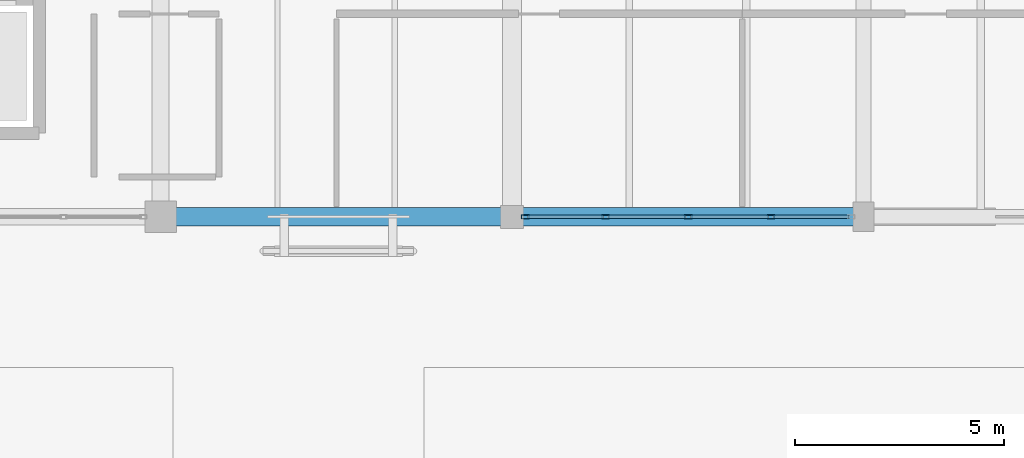
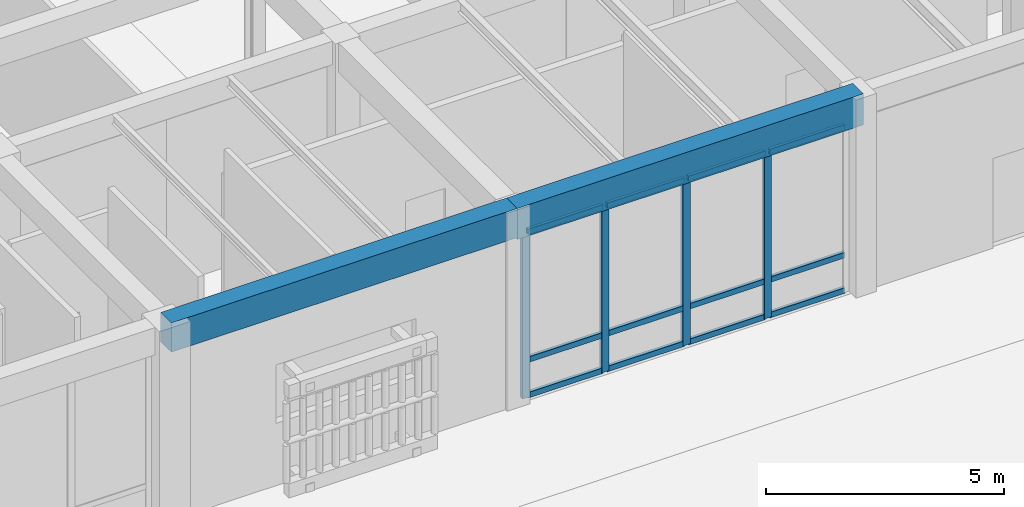
# One storey, part 72 of 169: 16 members, 2 beams, 1 element without a shape of its own.
"""IFC4 building model written with IfcOpenShell, lengths in metres."""

from ifc_helpers import new_model, si_unit, direction, frame, origin, origin_2d, place, context, subcontext, project, spatial, rectangle, hollow_rectangle, extrude, material, layer, layer_set, material_profile, profile_set, type_object, element, aggregate, save


model = new_model("IFC4")

# Units and contexts
model_context = context("Model", 3, precision=1e-05, world=origin(), true_north=direction((0.0, 1.0)))
body_context = subcontext(model_context, "Body", "Model", "MODEL_VIEW")
ifc_project = project(units=[si_unit("LENGTHUNIT", "METRE"), si_unit("AREAUNIT", "SQUARE_METRE"), si_unit("VOLUMEUNIT", "CUBIC_METRE"), si_unit("PLANEANGLEUNIT", "RADIAN"), si_unit("MASSUNIT", "GRAM", prefix="KILO")], contexts=[model_context])

# Site, building, storey
site_placement = place(None, origin())
site = spatial("IfcSite", under=ifc_project, at=site_placement, CompositionType="ELEMENT")
building_placement = place(site_placement, origin())
building = spatial("IfcBuilding", under=site, at=building_placement, Name="Mazaris Harbour Polytechnic", CompositionType="ELEMENT")
storey_placement = place(building_placement, origin())
storey = spatial("IfcBuildingStorey", under=building, at=storey_placement, Name="L00", CompositionType="ELEMENT", Elevation=0.0)

# Curtain wall, members
ifc_material_1 = material(Name="Anodised Bronze Aluminium and Low-E Glass", Category="aluminium")
ifc_layer = layer(ifc_material_1, 0.14990234375, Name="Anodised Bronze Aluminium and Low-E Glass")
ifc_layer_set = layer_set([ifc_layer], Name="Anodised Bronze Aluminium and Low-E Glass")
curtain_wall_type = type_object("IfcCurtainWallType", Name="Workshop Clerestory Curtain Wall", PredefinedType="NOTDEFINED", material=ifc_layer_set)
curtain_wall_placement = place(storey_placement, origin())
curtain_wall = element("IfcCurtainWall", 1, at=curtain_wall_placement, inside=storey, type_object=curtain_wall_type, Name="V1 L00 Curtain Wall 3", PredefinedType="NOTDEFINED")
ifc_material_2 = material(Name="Anodised Bronze Steel S355", Category="steel")
ifc_material_profile_1 = material_profile(ifc_material_2, hollow_rectangle(XDim=0.10009765625, YDim=0.179931640625, WallThickness=0.008056640625, at=origin_2d()), Name="RHS 100x180x8.0")
ifc_profile_set_1 = profile_set([ifc_material_profile_1], Name="Anodised Bronze Steel S355")
member_type_1 = type_object("IfcMemberType", Name="Curtain Mullion RHS100x180", PredefinedType="MULLION", material=ifc_profile_set_1)
member_1_placement = place(storey_placement, frame((93.78515625, 75.60009765625, 0.0), z_axis=(0.0, 0.0, 1.0), x_axis=(0.0, -1.0, 0.0)))
member_1 = element("IfcMember", 2, at=member_1_placement, type_object=member_type_1, Name="CW-04 mullion 2", PredefinedType="MULLION", context=body_context, shape_type="SweptSolid", body=[
    extrude(hollow_rectangle(XDim=0.10009765625, YDim=0.179931640625, WallThickness=0.008056640625, at=origin_2d()), origin(), (0.0, 0.0, 1.0), 4.27001953125),
])
member_2_placement = place(storey_placement, frame((91.8125, 75.60009765625, 0.0), z_axis=(0.0, 0.0, 1.0), x_axis=(0.0, -1.0, 0.0)))
member_2 = element("IfcMember", 3, at=member_2_placement, type_object=member_type_1, Name="CW-04 mullion 3", PredefinedType="MULLION", context=body_context, shape_type="SweptSolid", body=[
    extrude(hollow_rectangle(XDim=0.10009765625, YDim=0.179931640625, WallThickness=0.008056640625, at=origin_2d()), origin(), (0.0, 0.0, 1.0), 4.27001953125),
])
member_3_placement = place(storey_placement, frame((89.83984375, 75.60009765625, 0.0), z_axis=(0.0, 0.0, 1.0), x_axis=(0.0, -1.0, 0.0)))
member_3 = element("IfcMember", 4, at=member_3_placement, type_object=member_type_1, Name="CW-04 mullion 4", PredefinedType="MULLION", context=body_context, shape_type="SweptSolid", body=[
    extrude(hollow_rectangle(XDim=0.10009765625, YDim=0.179931640625, WallThickness=0.008056640625, at=origin_2d()), origin(), (0.0, 0.0, 1.0), 4.27001953125),
])
member_4_placement = place(storey_placement, frame((87.9169921875, 75.60009765625, 0.0), z_axis=(0.0, 0.0, 1.0), x_axis=(0.0, -1.0, 0.0)))
member_4 = element("IfcMember", 5, at=member_4_placement, type_object=member_type_1, Name="CW-04 mullion 5", PredefinedType="MULLION", context=body_context, shape_type="SweptSolid", body=[
    extrude(hollow_rectangle(XDim=0.10009765625, YDim=0.179931640625, WallThickness=0.008056640625, at=origin_2d()), origin(), (0.0, 0.0, 1.0), 4.27001953125),
])
ifc_material_3 = material(Name="Anodised Bronze Steel S355", Category="steel")
ifc_material_profile_2 = material_profile(ifc_material_3, hollow_rectangle(XDim=0.080078125, YDim=0.139892578125, WallThickness=0.00634765625, at=origin_2d()), Name="RHS 80x140x6.3")
ifc_profile_set_2 = profile_set([ifc_material_profile_2], Name="Anodised Bronze Steel S355")
member_type_2 = type_object("IfcMemberType", Name="Curtain Transom RHS80x140", PredefinedType="USERDEFINED", material=ifc_profile_set_2)
member_5_placement = place(storey_placement, frame((95.657958984375, 75.60009765625, 0.0400390625), z_axis=(-1.0, 0.0, 0.0), x_axis=(0.0, -1.0, 0.0)))
member_5 = element("IfcMember", 6, at=member_5_placement, type_object=member_type_2, Name="CW-04 transom 1.1", ObjectType="TRANSOM", PredefinedType="USERDEFINED", context=body_context, shape_type="SweptSolid", body=[
    extrude(hollow_rectangle(XDim=0.080078125, YDim=0.139892578125, WallThickness=0.00634765625, at=origin_2d()), origin(), (0.0, 0.0, 1.0), 1.82275390625),
])
member_6_placement = place(storey_placement, frame((95.657958984375, 75.60009765625, 0.949951171875), z_axis=(-1.0, 0.0, 0.0), x_axis=(0.0, -1.0, 0.0)))
member_6 = element("IfcMember", 7, at=member_6_placement, type_object=member_type_2, Name="CW-04 transom 1.2", ObjectType="TRANSOM", PredefinedType="USERDEFINED", context=body_context, shape_type="SweptSolid", body=[
    extrude(hollow_rectangle(XDim=0.080078125, YDim=0.139892578125, WallThickness=0.00634765625, at=origin_2d()), origin(), (0.0, 0.0, 1.0), 1.82275390625),
])
member_7_placement = place(storey_placement, frame((95.657958984375, 75.60009765625, 4.22998046875), z_axis=(-1.0, 0.0, 0.0), x_axis=(0.0, -1.0, 0.0)))
member_7 = element("IfcMember", 8, at=member_7_placement, type_object=member_type_2, Name="CW-04 transom 1.3", ObjectType="TRANSOM", PredefinedType="USERDEFINED", context=body_context, shape_type="SweptSolid", body=[
    extrude(hollow_rectangle(XDim=0.080078125, YDim=0.139892578125, WallThickness=0.00634765625, at=origin_2d()), origin(), (0.0, 0.0, 1.0), 1.82275390625),
])
member_8_placement = place(storey_placement, frame((93.7353515625, 75.60009765625, 0.0400390625), z_axis=(-1.0, 0.0, 0.0), x_axis=(0.0, -1.0, 0.0)))
member_8 = element("IfcMember", 9, at=member_8_placement, type_object=member_type_2, Name="CW-04 transom 2.1", ObjectType="TRANSOM", PredefinedType="USERDEFINED", context=body_context, shape_type="SweptSolid", body=[
    extrude(hollow_rectangle(XDim=0.080078125, YDim=0.139892578125, WallThickness=0.00634765625, at=origin_2d()), origin(), (0.0, 0.0, 1.0), 1.872802734375),
])
member_9_placement = place(storey_placement, frame((93.7353515625, 75.60009765625, 0.949951171875), z_axis=(-1.0, 0.0, 0.0), x_axis=(0.0, -1.0, 0.0)))
member_9 = element("IfcMember", 10, at=member_9_placement, type_object=member_type_2, Name="CW-04 transom 2.2", ObjectType="TRANSOM", PredefinedType="USERDEFINED", context=body_context, shape_type="SweptSolid", body=[
    extrude(hollow_rectangle(XDim=0.080078125, YDim=0.139892578125, WallThickness=0.00634765625, at=origin_2d()), origin(), (0.0, 0.0, 1.0), 1.872802734375),
])
member_10_placement = place(storey_placement, frame((93.7353515625, 75.60009765625, 4.22998046875), z_axis=(-1.0, 0.0, 0.0), x_axis=(0.0, -1.0, 0.0)))
member_10 = element("IfcMember", 11, at=member_10_placement, type_object=member_type_2, Name="CW-04 transom 2.3", ObjectType="TRANSOM", PredefinedType="USERDEFINED", context=body_context, shape_type="SweptSolid", body=[
    extrude(hollow_rectangle(XDim=0.080078125, YDim=0.139892578125, WallThickness=0.00634765625, at=origin_2d()), origin(), (0.0, 0.0, 1.0), 1.872802734375),
])
member_11_placement = place(storey_placement, frame((91.762451171875, 75.60009765625, 0.0400390625), z_axis=(-1.0, 0.0, 0.0), x_axis=(0.0, -1.0, 0.0)))
member_11 = element("IfcMember", 12, at=member_11_placement, type_object=member_type_2, Name="CW-04 transom 3.1", ObjectType="TRANSOM", PredefinedType="USERDEFINED", context=body_context, shape_type="SweptSolid", body=[
    extrude(hollow_rectangle(XDim=0.080078125, YDim=0.139892578125, WallThickness=0.00634765625, at=origin_2d()), origin(), (0.0, 0.0, 1.0), 1.872802734375),
])
member_12_placement = place(storey_placement, frame((91.762451171875, 75.60009765625, 0.949951171875), z_axis=(-1.0, 0.0, 0.0), x_axis=(0.0, -1.0, 0.0)))
member_12 = element("IfcMember", 13, at=member_12_placement, type_object=member_type_2, Name="CW-04 transom 3.2", ObjectType="TRANSOM", PredefinedType="USERDEFINED", context=body_context, shape_type="SweptSolid", body=[
    extrude(hollow_rectangle(XDim=0.080078125, YDim=0.139892578125, WallThickness=0.00634765625, at=origin_2d()), origin(), (0.0, 0.0, 1.0), 1.872802734375),
])
member_13_placement = place(storey_placement, frame((91.762451171875, 75.60009765625, 4.22998046875), z_axis=(-1.0, 0.0, 0.0), x_axis=(0.0, -1.0, 0.0)))
member_13 = element("IfcMember", 14, at=member_13_placement, type_object=member_type_2, Name="CW-04 transom 3.3", ObjectType="TRANSOM", PredefinedType="USERDEFINED", context=body_context, shape_type="SweptSolid", body=[
    extrude(hollow_rectangle(XDim=0.080078125, YDim=0.139892578125, WallThickness=0.00634765625, at=origin_2d()), origin(), (0.0, 0.0, 1.0), 1.872802734375),
])
member_14_placement = place(storey_placement, frame((89.789794921875, 75.60009765625, 0.0400390625), z_axis=(-1.0, 0.0, 0.0), x_axis=(0.0, -1.0, 0.0)))
member_14 = element("IfcMember", 15, at=member_14_placement, type_object=member_type_2, Name="CW-04 transom 4.1", ObjectType="TRANSOM", PredefinedType="USERDEFINED", context=body_context, shape_type="SweptSolid", body=[
    extrude(hollow_rectangle(XDim=0.080078125, YDim=0.139892578125, WallThickness=0.00634765625, at=origin_2d()), origin(), (0.0, 0.0, 1.0), 1.82275390625),
])
member_15_placement = place(storey_placement, frame((89.789794921875, 75.60009765625, 0.949951171875), z_axis=(-1.0, 0.0, 0.0), x_axis=(0.0, -1.0, 0.0)))
member_15 = element("IfcMember", 16, at=member_15_placement, type_object=member_type_2, Name="CW-04 transom 4.2", ObjectType="TRANSOM", PredefinedType="USERDEFINED", context=body_context, shape_type="SweptSolid", body=[
    extrude(hollow_rectangle(XDim=0.080078125, YDim=0.139892578125, WallThickness=0.00634765625, at=origin_2d()), origin(), (0.0, 0.0, 1.0), 1.82275390625),
])
member_16_placement = place(storey_placement, frame((89.789794921875, 75.60009765625, 4.22998046875), z_axis=(-1.0, 0.0, 0.0), x_axis=(0.0, -1.0, 0.0)))
member_16 = element("IfcMember", 17, at=member_16_placement, type_object=member_type_2, Name="CW-04 transom 4.3", ObjectType="TRANSOM", PredefinedType="USERDEFINED", context=body_context, shape_type="SweptSolid", body=[
    extrude(hollow_rectangle(XDim=0.080078125, YDim=0.139892578125, WallThickness=0.00634765625, at=origin_2d()), origin(), (0.0, 0.0, 1.0), 1.82275390625),
])
aggregate(curtain_wall, [member_1, member_2, member_3, member_4, member_5, member_6, member_7, member_8, member_9, member_10, member_11, member_12, member_13, member_14, member_15, member_16])

# Beams
ifc_material_4 = material(Name="Concrete C40/50", Category="concrete")
ifc_material_profile_3 = material_profile(ifc_material_4, rectangle(XDim=0.449951171875, YDim=0.75, at=origin_2d()), Name="RECT450x750")
ifc_profile_set_3 = profile_set([ifc_material_profile_3], Name="Concrete C40/50")
beam_type_1 = type_object("IfcBeamType", Name="RC Girder 450x750 Exterior", PredefinedType="BEAM", material=ifc_profile_set_3)
beam_1_placement = place(storey_placement, frame((79.199951171875, 75.60009765625, 4.705078125), z_axis=(1.0, 0.0, 0.0), x_axis=(0.0, 1.0, 0.0)))
element("IfcBeam", 18, at=beam_1_placement, inside=storey, type_object=beam_type_1, Name="V1 L00 Girder 178", PredefinedType="BEAM", context=body_context, shape_type="SweptSolid", body=[
    extrude(rectangle(XDim=0.449951171875, YDim=0.75, at=origin_2d()), origin(), (0.0, 0.0, 1.0), 8.400146484375),
])
ifc_material_5 = material(Name="Concrete C40/50", Category="concrete")
ifc_material_profile_4 = material_profile(ifc_material_5, rectangle(XDim=0.449951171875, YDim=0.800048828125, at=origin_2d()), Name="RECT450x800")
ifc_profile_set_4 = profile_set([ifc_material_profile_4], Name="Concrete C40/50")
beam_type_2 = type_object("IfcBeamType", Name="RC Girder 450x800 Exterior", PredefinedType="BEAM", material=ifc_profile_set_4)
beam_2_placement = place(storey_placement, frame((87.60009765625, 75.60009765625, 4.679931640625), z_axis=(1.0, 0.0, 0.0), x_axis=(0.0, 1.0, 0.0)))
element("IfcBeam", 19, at=beam_2_placement, inside=storey, type_object=beam_type_2, Name="V1 L00 Girder 179", PredefinedType="BEAM", context=body_context, shape_type="SweptSolid", body=[
    extrude(rectangle(XDim=0.449951171875, YDim=0.800048828125, at=origin_2d()), origin(), (0.0, 0.0, 1.0), 8.39990234375),
])

save(model, "model.ifc")
